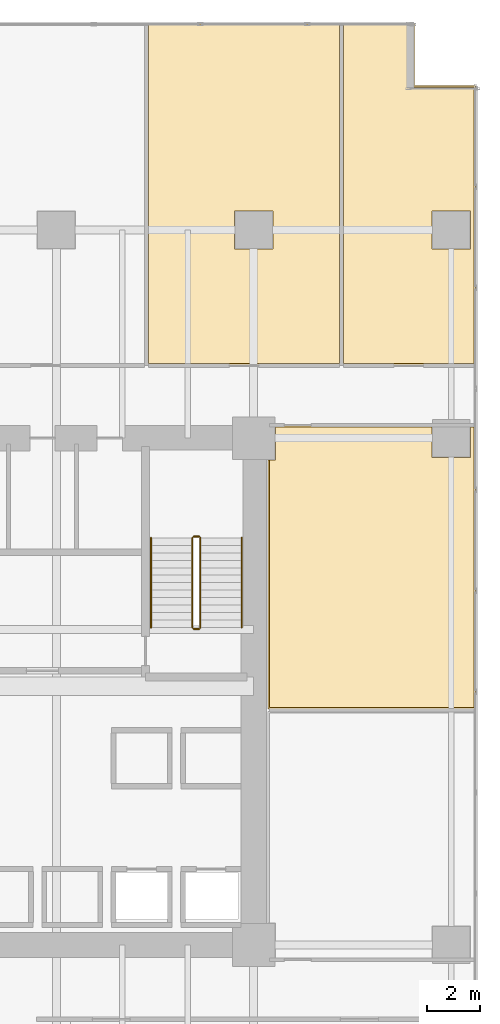
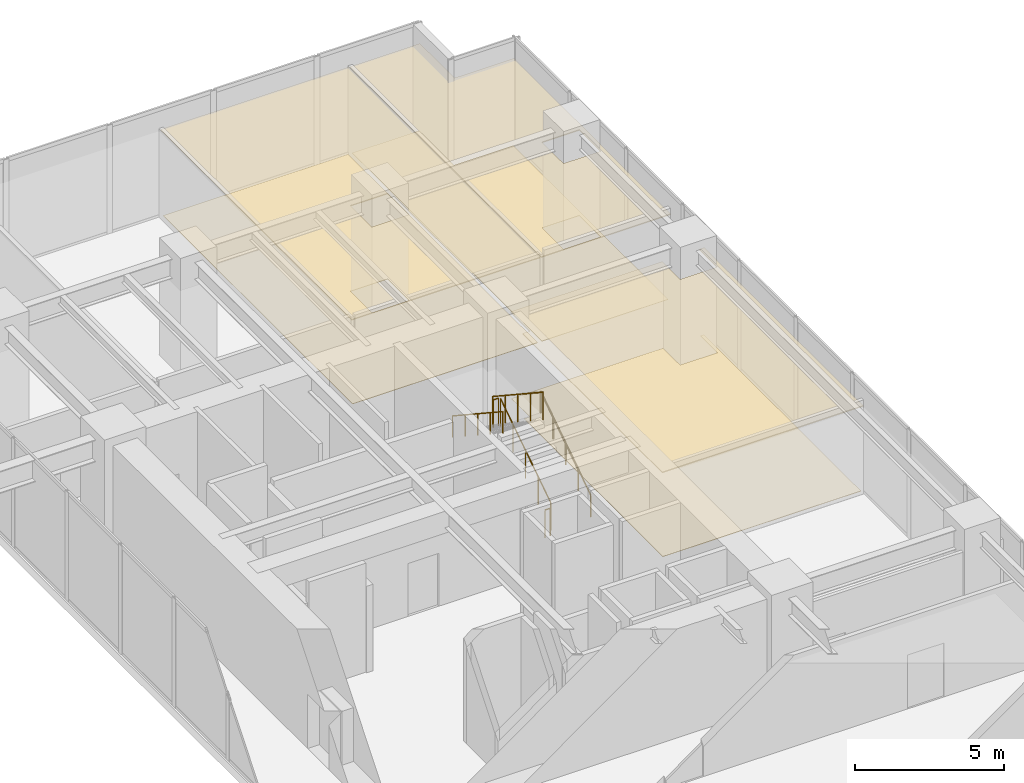
# One storey, part 39 of 39: 6 coverings, 6 railings.
"""IFC4 building model written with IfcOpenShell, lengths in metres."""

import ifcopenshell
import ifcopenshell.guid

model = None  # the IFC model being written
_history = None  # IfcOwnerHistory: only IFC2X3 demands one
_inside = {}  # id of a spatial element -> (the spatial element, [elements in it])
_under = {}  # id of a project, library or spatial element -> (it, [spatial elements below it])
_declared = {}  # id of a project -> (the project, [libraries it declares])
_typed = {}  # id of a type object -> (the type object, [elements of that type])
_made_of = {}  # id of a material, layer set ... -> (it, [elements and type objects made of it])


def new_model(schema):
    """Start an empty IFC model of exactly this schema.

    Asked for "IFC4X3", IfcOpenShell would pick the latest addendum, in which some entities
    have other attributes; the version numbers below select the first issue.
    IFC2X3 requires an IfcOwnerHistory on every rooted entity: one is made here for all.
    """
    global model, _history
    if schema == "IFC4X3":
        model = ifcopenshell.file(schema_version=(4, 3, 0, 0))
    else:
        model = ifcopenshell.file(schema=schema)
    _inside.clear()
    _under.clear()
    _declared.clear()
    _typed.clear()
    _made_of.clear()
    _history = None
    if model.schema == "IFC2X3":
        org = make("IfcOrganization", Name="unknown")
        user = make(
            "IfcPersonAndOrganization",
            ThePerson=make("IfcPerson", FamilyName="unknown"),
            TheOrganization=org,
        )
        app = make(
            "IfcApplication",
            ApplicationDeveloper=org,
            Version="unknown",
            ApplicationFullName="unknown",
            ApplicationIdentifier="unknown",
        )
        _history = make(
            "IfcOwnerHistory",
            OwningUser=user,
            OwningApplication=app,
            ChangeAction="ADDED",
            CreationDate=0,
        )
    return model


def make(cls, **values):
    """One entity of the class cls with the attributes given. An attribute that is None is left unset."""
    return model.create_entity(
        cls, **{name: value for name, value in values.items() if value is not None}
    )


def rooted(cls, **values):
    """An entity with a GlobalId (a new one), such as an element, a storey or a relation."""
    return make(cls, GlobalId=ifcopenshell.guid.new(), OwnerHistory=_history, **values)


def si_unit(unit_type, name, prefix=None):
    """IfcSIUnit, for example si_unit("LENGTHUNIT", "METRE", prefix="MILLI")."""
    return make("IfcSIUnit", UnitType=unit_type, Prefix=prefix, Name=name)


def assignment(units):
    """IfcUnitAssignment: the units of a project."""
    return None if units is None else make("IfcUnitAssignment", Units=units)


def point(xyz):
    """IfcCartesianPoint."""
    return None if xyz is None else make("IfcCartesianPoint", Coordinates=xyz)


def direction(xyz):
    """IfcDirection."""
    return None if xyz is None else make("IfcDirection", DirectionRatios=xyz)


def frame(location, z_axis=None, x_axis=None):
    """IfcAxis2Placement3D, a coordinate frame: its origin and axes. An axis left out is left unset."""
    return make(
        "IfcAxis2Placement3D",
        Location=point(location),
        Axis=direction(z_axis),
        RefDirection=direction(x_axis),
    )


def frame_2d(location, x_axis=None):
    """IfcAxis2Placement2D, a coordinate frame in the plane: its origin and x axis."""
    return make(
        "IfcAxis2Placement2D", Location=point(location), RefDirection=direction(x_axis)
    )


def origin():
    """The frame at (0, 0, 0) with its axes left unset."""
    return frame((0.0, 0.0, 0.0))


def origin_2d():
    """The frame at (0, 0) in the plane with its x axis left unset."""
    return frame_2d((0.0, 0.0))


def place(relative_to, where):
    """IfcLocalPlacement: puts the frame where relative to a parent placement (None: the world)."""
    return make(
        "IfcLocalPlacement", PlacementRelTo=relative_to, RelativePlacement=where
    )


def context(
    kind, dimensions, precision=None, world=None, true_north=None, identifier=None
):
    """IfcGeometricRepresentationContext, for example the 3D "Model" context."""
    return make(
        "IfcGeometricRepresentationContext",
        ContextIdentifier=identifier,
        ContextType=kind,
        CoordinateSpaceDimension=dimensions,
        Precision=precision,
        WorldCoordinateSystem=world,
        TrueNorth=true_north,
    )


def subcontext(parent, identifier, kind, view, scale=None):
    """IfcGeometricRepresentationSubContext, for example "Body" below "Model"."""
    return make(
        "IfcGeometricRepresentationSubContext",
        ContextIdentifier=identifier,
        ContextType=kind,
        ParentContext=parent,
        TargetScale=scale,
        TargetView=view,
    )


def project(units=None, contexts=None):
    """IfcProject with its units and contexts."""
    return rooted(
        "IfcProject",
        Name="project",
        RepresentationContexts=contexts,
        UnitsInContext=assignment(units),
    )


def spatial(cls, under=None, at=None, **own):
    """A site, building, storey or space (cls), placed at a placement, below another one or the project."""
    s = rooted(cls, ObjectPlacement=at, **own)
    if under is not None:
        _under.setdefault(under.id(), (under, []))[1].append(s)
    return s


def polyline(points):
    """IfcPolyline through the points."""
    return make("IfcPolyline", Points=[point(p) for p in points])


def profile(cls, at=None, kind="AREA", **sizes):
    """A parametric profile (cls). Its sizes go by their IFC names, for example OverallWidth=200.0."""
    return make(cls, ProfileType=kind, Position=at, **sizes)


def circle(**sizes):
    """IfcCircleProfileDef."""
    return profile("IfcCircleProfileDef", **sizes)


def outline(outer, holes=None, kind="AREA"):
    """IfcArbitraryClosedProfileDef: a profile drawn as a closed curve; with holes, ...WithVoids."""
    if holes is None:
        return make("IfcArbitraryClosedProfileDef", ProfileType=kind, OuterCurve=outer)
    return make(
        "IfcArbitraryProfileDefWithVoids",
        ProfileType=kind,
        OuterCurve=outer,
        InnerCurves=holes,
    )


def extrude(swept, where, along, depth):
    """IfcExtrudedAreaSolid: the profile swept, set in the frame where, extruded along a direction by depth."""
    return make(
        "IfcExtrudedAreaSolid",
        SweptArea=swept,
        Position=where,
        ExtrudedDirection=direction(along),
        Depth=depth,
    )


def shape(context_of_items, identifier, shape_type, items):
    """IfcShapeRepresentation: the items that make up one representation, for example the "Body"."""
    return make(
        "IfcShapeRepresentation",
        ContextOfItems=context_of_items,
        RepresentationIdentifier=identifier,
        RepresentationType=shape_type,
        Items=items,
    )


def source(mapping_origin, context_of_items, identifier, shape_type, items):
    """IfcRepresentationMap: a shape defined once, which mapped items show again and again."""
    return make(
        "IfcRepresentationMap",
        MappingOrigin=mapping_origin,
        MappedRepresentation=shape(context_of_items, identifier, shape_type, items),
    )


def transform(
    local_origin,
    x_axis=None,
    y_axis=None,
    z_axis=None,
    scale=None,
    scale2=None,
    scale3=None,
    uniform=True,
):
    """IfcCartesianTransformationOperator3D, or its non-uniform kind. x_axis, y_axis, z_axis: its Axis1, 2, 3."""
    if uniform:
        return make(
            "IfcCartesianTransformationOperator3D",
            Axis1=direction(x_axis),
            Axis2=direction(y_axis),
            LocalOrigin=point(local_origin),
            Scale=scale,
            Axis3=direction(z_axis),
        )
    return make(
        "IfcCartesianTransformationOperator3DnonUniform",
        Axis1=direction(x_axis),
        Axis2=direction(y_axis),
        LocalOrigin=point(local_origin),
        Scale=scale,
        Axis3=direction(z_axis),
        Scale2=scale2,
        Scale3=scale3,
    )


def mapped(mapping_source, mapping_target):
    """IfcMappedItem: shows the shape of a source again, moved by a transform."""
    return make(
        "IfcMappedItem", MappingSource=mapping_source, MappingTarget=mapping_target
    )


def material(Name=None, Category=None):
    """IfcMaterial."""
    return make("IfcMaterial", Name=Name, Category=Category)


def layer(
    of_material, thickness, ventilated=None, Name=None, Category=None, Priority=None
):
    """IfcMaterialLayer: one layer of a wall or slab, of a material (None: an air gap)."""
    return make(
        "IfcMaterialLayer",
        Material=of_material,
        LayerThickness=thickness,
        IsVentilated=ventilated,
        Name=Name,
        Category=Category,
        Priority=Priority,
    )


def layer_set(layers, Name=None):
    """IfcMaterialLayerSet."""
    return make("IfcMaterialLayerSet", MaterialLayers=layers, LayerSetName=Name)


def made_of(thing, what):
    """Note that an element or type object is made of a material, layer set ...; save() writes the relation."""
    if what is not None:
        _made_of.setdefault(what.id(), (what, []))[1].append(thing)
    return thing


def type_object(cls, material=None, **own):
    """A type object (cls), such as IfcWallType, which elements share."""
    return made_of(rooted(cls, **own), material)


def type_shapes(of_type, sources):
    """Give a type object the sources (RepresentationMaps) that its elements show as mapped items."""
    of_type.RepresentationMaps = sources


def element(
    cls,
    number,
    at=None,
    inside=None,
    cuts=None,
    type_object=None,
    material=None,
    context=None,
    identifier="Body",
    shape_type=None,
    held_by="IfcProductDefinitionShape",
    body=None,
    shapes=None,
    **own,
):
    """One element of the class cls, such as IfcWall. Its Tag is "e" and its number.

    at: its placement. inside: the storey or other place that contains it. cuts: it is an
    opening in that element (IfcRelVoidsElement). A single representation is given by context,
    identifier, shape_type and body (its items); several are given by shapes. held_by: the class
    of the entity that holds the representations. save() writes the other relations.
    """
    e = rooted(cls, Tag="e%d" % number, ObjectPlacement=at, **own)
    if body is not None:
        shapes = [shape(context, identifier, shape_type, body)]
    if shapes is not None:
        e.Representation = make(held_by, Representations=shapes)
    if inside is not None:
        _inside.setdefault(inside.id(), (inside, []))[1].append(e)
    if cuts is not None:
        rooted(
            "IfcRelVoidsElement", RelatingBuildingElement=cuts, RelatedOpeningElement=e
        )
    if type_object is not None:
        _typed.setdefault(type_object.id(), (type_object, []))[1].append(e)
    return made_of(e, material)


def aggregate(whole, parts):
    """IfcRelAggregates: a whole, such as a stair, and the parts it consists of."""
    return rooted("IfcRelAggregates", RelatingObject=whole, RelatedObjects=parts)


def save(model, path):
    """Write the relations noted so far, then the file.

    IfcRelAggregates (storeys below a building ...), IfcRelContainedInSpatialStructure (elements
    in a storey), IfcRelDefinesByType, IfcRelAssociatesMaterial and IfcRelDeclares: one each for
    every whole, place, type object, material and project.
    """
    for whole, parts in _under.values():
        aggregate(whole, parts)
    for where, things in _inside.values():
        rooted(
            "IfcRelContainedInSpatialStructure",
            RelatedElements=things,
            RelatingStructure=where,
        )
    for kind, things in _typed.values():
        rooted("IfcRelDefinesByType", RelatedObjects=things, RelatingType=kind)
    for what, things in _made_of.values():
        rooted("IfcRelAssociatesMaterial", RelatedObjects=things, RelatingMaterial=what)
    for by, libraries in _declared.values():
        rooted("IfcRelDeclares", RelatingContext=by, RelatedDefinitions=libraries)
    model.write(path)


model = new_model("IFC4")

# Units and contexts
model_context = context("Model", 3, precision=1e-05, world=origin(), true_north=direction((0.0, 1.0)))
body_context = subcontext(model_context, "Body", "Model", "MODEL_VIEW")
ifc_project = project(units=[si_unit("LENGTHUNIT", "METRE"), si_unit("AREAUNIT", "SQUARE_METRE"), si_unit("VOLUMEUNIT", "CUBIC_METRE"), si_unit("PLANEANGLEUNIT", "RADIAN"), si_unit("MASSUNIT", "GRAM", prefix="KILO")], contexts=[model_context])

# Site, building, storey
site_placement = place(None, origin())
site = spatial("IfcSite", under=ifc_project, at=site_placement, CompositionType="ELEMENT")
building_placement = place(site_placement, origin())
building = spatial("IfcBuilding", under=site, at=building_placement, Name="Haelvirn Gate Laboratories", CompositionType="ELEMENT")
storey_placement = place(building_placement, frame((0.0, 0.0, 15.0)))
storey = spatial("IfcBuildingStorey", under=building, at=storey_placement, Name="L04", CompositionType="ELEMENT", Elevation=15.0)

# Coverings
ifc_material_1 = material(Name="Micro-perforated acoustic mineral-fibre laboratory ceiling")
ifc_layer_1 = layer(ifc_material_1, 0.0400390625, Name="COV-CEIL-ACT")
ifc_layer_set_1 = layer_set([ifc_layer_1], Name="Micro-perforated acoustic mineral-fibre laboratory ceiling")
covering_type_1 = type_object("IfcCoveringType", Name="COV-CEIL-ACT", PredefinedType="CEILING", material=ifc_layer_set_1)
covering_1_placement = place(storey_placement, frame((0.0, 0.0, 3.47998046875)))
element("IfcCovering", 1, at=covering_1_placement, inside=storey, type_object=covering_type_1, Name="L04 Laboratory Acoustic Ceiling CEIL-SP-L04-PODOUT-E-N", PredefinedType="CEILING", context=body_context, shape_type="SweptSolid", body=[
    extrude(outline(polyline([(75.7099609375, 34.280029296875), (75.7099609375, 23.639892578125), (67.93994140625, 23.639892578125), (67.93994140625, 32.97998046875), (68.219970703125, 32.97998046875), (68.219970703125, 34.280029296875), (74.080078125, 34.280029296875), (74.080078125, 33.080078125), (75.52001953125, 33.080078125), (75.52001953125, 34.280029296875), (75.7099609375, 34.280029296875)])), origin(), (0.0, 0.0, 1.0), 0.0400390625),
])
covering_2_placement = place(storey_placement, frame((0.0, 0.0, 3.47998046875)))
element("IfcCovering", 2, at=covering_2_placement, inside=storey, type_object=covering_type_1, Name="L04 Laboratory Acoustic Ceiling CEIL-SP-L04-PODN-E-3", PredefinedType="CEILING", context=body_context, shape_type="SweptSolid", body=[
    extrude(outline(polyline([(70.6708984375, 36.5400390625), (63.403076171875, 36.5400390625), (63.403076171875, 49.340087890625), (70.6708984375, 49.340087890625), (70.6708984375, 36.5400390625)]), holes=[polyline([(68.1201171875, 42.320068359375), (66.679931640625, 42.320068359375), (66.679931640625, 40.8798828125), (68.1201171875, 40.8798828125), (68.1201171875, 42.320068359375)])]), origin(), (0.0, 0.0, 1.0), 0.0400390625),
])
covering_3_placement = place(storey_placement, frame((0.0, 0.0, 3.47998046875)))
element("IfcCovering", 3, at=covering_3_placement, inside=storey, type_object=covering_type_1, Name="L04 Laboratory Acoustic Ceiling CEIL-SP-L04-PODN-E-4", PredefinedType="CEILING", context=body_context, shape_type="SweptSolid", body=[
    extrude(outline(polyline([(73.419921875, 49.340087890625), (73.419921875, 47.02001953125), (75.7099609375, 47.02001953125), (75.7099609375, 36.5400390625), (70.7109375, 36.5400390625), (70.7109375, 49.340087890625), (73.419921875, 49.340087890625)]), holes=[polyline([(75.52001953125, 42.320068359375), (74.080078125, 42.320068359375), (74.080078125, 40.8798828125), (75.52001953125, 40.8798828125), (75.52001953125, 42.320068359375)])]), origin(), (0.0, 0.0, 1.0), 0.0400390625),
])
ifc_material_2 = material(Name="Seamless chemical-resistant epoxy laboratory flooring")
ifc_layer_2 = layer(ifc_material_2, 0.01806640625, Name="COV-FLR-RESIN")
ifc_layer_set_2 = layer_set([ifc_layer_2], Name="Seamless chemical-resistant epoxy laboratory flooring")
covering_type_2 = type_object("IfcCoveringType", Name="COV-FLR-RESIN", PredefinedType="FLOORING", material=ifc_layer_set_2)
covering_4_placement = place(storey_placement, origin())
element("IfcCovering", 4, at=covering_4_placement, inside=storey, type_object=covering_type_2, Name="L04 Seamless Laboratory Flooring FLR-SP-L04-PODOUT-E-N", PredefinedType="FLOORING", context=body_context, shape_type="SweptSolid", body=[
    extrude(outline(polyline([(68.219970703125, 34.219970703125), (74.080078125, 34.219970703125), (74.080078125, 33.080078125), (75.52001953125, 33.080078125), (75.52001953125, 34.219970703125), (75.64990234375, 34.219970703125), (75.64990234375, 23.699951171875), (68.0, 23.699951171875), (68.0, 32.97998046875), (68.219970703125, 32.97998046875), (68.219970703125, 34.219970703125)])), origin(), (0.0, 0.0, 1.0), 0.01806640625),
])
covering_5_placement = place(storey_placement, origin())
element("IfcCovering", 5, at=covering_5_placement, inside=storey, type_object=covering_type_2, Name="L04 Seamless Laboratory Flooring FLR-SP-L04-PODN-E-3", PredefinedType="FLOORING", context=body_context, shape_type="SweptSolid", body=[
    extrude(outline(polyline([(70.611083984375, 49.280029296875), (70.611083984375, 36.60009765625), (63.462890625, 36.60009765625), (63.462890625, 49.280029296875), (70.611083984375, 49.280029296875)]), holes=[polyline([(66.679931640625, 42.320068359375), (66.679931640625, 40.8798828125), (68.1201171875, 40.8798828125), (68.1201171875, 42.320068359375), (66.679931640625, 42.320068359375)])]), origin(), (0.0, 0.0, 1.0), 0.01806640625),
])
covering_6_placement = place(storey_placement, origin())
element("IfcCovering", 6, at=covering_6_placement, inside=storey, type_object=covering_type_2, Name="L04 Seamless Laboratory Flooring FLR-SP-L04-PODN-E-4", PredefinedType="FLOORING", context=body_context, shape_type="SweptSolid", body=[
    extrude(outline(polyline([(70.77099609375, 49.280029296875), (73.360107421875, 49.280029296875), (73.360107421875, 47.0), (73.360107421875, 46.99609375), (73.36083984375, 46.9921875), (73.36181640625, 46.98828125), (73.363037109375, 46.984619140625), (73.36474609375, 46.981201171875), (73.36669921875, 46.977783203125), (73.369140625, 46.974609375), (73.37158203125, 46.9716796875), (73.37451171875, 46.968994140625), (73.377685546875, 46.966796875), (73.381103515625, 46.964599609375), (73.384765625, 46.962890625), (73.388427734375, 46.961669921875), (73.39208984375, 46.960693359375), (73.39599609375, 46.960205078125), (73.39990234375, 46.9599609375), (75.64990234375, 46.9599609375), (75.64990234375, 36.60009765625), (70.77099609375, 36.60009765625), (70.77099609375, 49.280029296875)]), holes=[polyline([(74.080078125, 42.320068359375), (74.080078125, 40.8798828125), (75.52001953125, 40.8798828125), (75.52001953125, 42.320068359375), (74.080078125, 42.320068359375)])]), origin(), (0.0, 0.0, 1.0), 0.01806640625),
])

# Railings
ifc_material_3 = material(Name="Galvanised steel SM355 & stainless top rail", Category="steel")
railing_type_1 = type_object("IfcRailingType", Name="RL-GUARD-1150", PredefinedType="GUARDRAIL", material=ifc_material_3)
shared_shape_1 = source(origin(), body_context, "Body", "SweptSolid", [
    extrude(circle(Radius=0.02392578125, at=origin_2d()), frame((0.0, 0.0, 1.1259765625), z_axis=(0.0, 0.834876476806, 0.550437342915), x_axis=(-1.0, 0.0, 0.0)), (0.0, 0.0, 1.0), 4.024658203125),
    extrude(circle(Radius=0.02099609375, at=origin_2d()), origin(), (0.0, 0.0, 1.0), 1.101806640625),
    extrude(circle(Radius=0.02099609375, at=origin_2d()), frame((0.0, 0.840087890625, 0.5537109375)), (0.0, 0.0, 1.0), 1.101806640625),
    extrude(circle(Radius=0.02099609375, at=origin_2d()), frame((0.0, 1.68017578125, 1.107666015625)), (0.0, 0.0, 1.0), 1.101806640625),
    extrude(circle(Radius=0.02099609375, at=origin_2d()), frame((0.0, 2.52001953125, 1.66162109375)), (0.0, 0.0, 1.0), 1.101806640625),
    extrude(circle(Radius=0.02099609375, at=origin_2d()), frame((0.0, 3.360107421875, 2.21533203125)), (0.0, 0.0, 1.0), 1.101806640625),
])
railing_1_placement = place(storey_placement, frame((65.39990234375, 26.699951171875, 0.1845703125)))
element("IfcRailing", 7, at=railing_1_placement, inside=storey, type_object=railing_type_1, Name="L04 ST2 stair guard 1", PredefinedType="GUARDRAIL", context=body_context, shape_type="MappedRepresentation", body=[
    mapped(shared_shape_1, transform((0.0, 0.0, 0.0), scale=1.0)),
])
shared_shape_2 = source(origin(), body_context, "Body", "SweptSolid", [
    extrude(circle(Radius=0.02392578125, at=origin_2d()), frame((0.0, 0.0, 1.1259765625), z_axis=(0.0, -0.834876476806, 0.550437342915), x_axis=(1.0, 0.0, 0.0)), (0.0, 0.0, 1.0), 4.024658203125),
    extrude(circle(Radius=0.02099609375, at=origin_2d()), origin(), (0.0, 0.0, 1.0), 1.101806640625),
    extrude(circle(Radius=0.02099609375, at=origin_2d()), frame((0.0, -0.840087890625, 0.5537109375)), (0.0, 0.0, 1.0), 1.101806640625),
    extrude(circle(Radius=0.02099609375, at=origin_2d()), frame((0.0, -1.68017578125, 1.107666015625)), (0.0, 0.0, 1.0), 1.101806640625),
    extrude(circle(Radius=0.02099609375, at=origin_2d()), frame((0.0, -2.52001953125, 1.66162109375)), (0.0, 0.0, 1.0), 1.101806640625),
    extrude(circle(Radius=0.02099609375, at=origin_2d()), frame((0.0, -3.360107421875, 2.21533203125)), (0.0, 0.0, 1.0), 1.101806640625),
])
railing_2_placement = place(storey_placement, frame((65.10009765625, 30.06005859375, 2.584716796875)))
element("IfcRailing", 8, at=railing_2_placement, inside=storey, type_object=railing_type_1, Name="L04 ST2 stair guard 3", PredefinedType="GUARDRAIL", context=body_context, shape_type="MappedRepresentation", body=[
    mapped(shared_shape_2, transform((0.0, 0.0, 0.0), scale=1.0)),
])
ifc_material_4 = material(Name="Brushed stainless steel 316L", Category="steel")
railing_type_2 = type_object("IfcRailingType", Name="RL-HAND-920", PredefinedType="HANDRAIL", material=ifc_material_4)
shared_shape_3 = source(origin(), body_context, "Body", "SweptSolid", [
    extrude(circle(Radius=0.02392578125, at=origin_2d()), frame((0.0, 0.0, 0.8759765625), z_axis=(0.0, 0.834876476806, 0.550437342915), x_axis=(-1.0, 0.0, 0.0)), (0.0, 0.0, 1.0), 4.024658203125),
    extrude(circle(Radius=0.02099609375, at=origin_2d()), origin(), (0.0, 0.0, 1.0), 0.851806640625),
    extrude(circle(Radius=0.02099609375, at=origin_2d()), frame((0.0, 0.840087890625, 0.5537109375)), (0.0, 0.0, 1.0), 0.851806640625),
    extrude(circle(Radius=0.02099609375, at=origin_2d()), frame((0.0, 1.68017578125, 1.107666015625)), (0.0, 0.0, 1.0), 0.851806640625),
    extrude(circle(Radius=0.02099609375, at=origin_2d()), frame((0.0, 2.52001953125, 1.66162109375)), (0.0, 0.0, 1.0), 0.851806640625),
    extrude(circle(Radius=0.02099609375, at=origin_2d()), frame((0.0, 3.360107421875, 2.21533203125)), (0.0, 0.0, 1.0), 0.851806640625),
])
railing_3_placement = place(storey_placement, frame((66.949951171875, 26.699951171875, 0.1845703125)))
element("IfcRailing", 9, at=railing_3_placement, inside=storey, type_object=railing_type_2, Name="L04 ST2 stair handrail 1", PredefinedType="HANDRAIL", context=body_context, shape_type="MappedRepresentation", body=[
    mapped(shared_shape_3, transform((0.0, 0.0, 0.0), scale=1.0)),
])
shared_shape_4 = source(origin(), body_context, "Body", "SweptSolid", [
    extrude(circle(Radius=0.02392578125, at=origin_2d()), frame((0.0, 0.0, 0.8759765625), z_axis=(0.0, -0.834876476806, 0.550437342915), x_axis=(1.0, 0.0, 0.0)), (0.0, 0.0, 1.0), 4.024658203125),
    extrude(circle(Radius=0.02099609375, at=origin_2d()), origin(), (0.0, 0.0, 1.0), 0.851806640625),
    extrude(circle(Radius=0.02099609375, at=origin_2d()), frame((0.0, -0.840087890625, 0.5537109375)), (0.0, 0.0, 1.0), 0.851806640625),
    extrude(circle(Radius=0.02099609375, at=origin_2d()), frame((0.0, -1.68017578125, 1.107666015625)), (0.0, 0.0, 1.0), 0.851806640625),
    extrude(circle(Radius=0.02099609375, at=origin_2d()), frame((0.0, -2.52001953125, 1.66162109375)), (0.0, 0.0, 1.0), 0.851806640625),
    extrude(circle(Radius=0.02099609375, at=origin_2d()), frame((0.0, -3.360107421875, 2.21533203125)), (0.0, 0.0, 1.0), 0.851806640625),
])
type_shapes(railing_type_2, [shared_shape_3, shared_shape_4])
railing_4_placement = place(storey_placement, frame((63.550048828125, 30.06005859375, 2.584716796875)))
element("IfcRailing", 10, at=railing_4_placement, inside=storey, type_object=railing_type_2, Name="L04 ST2 stair handrail 2", PredefinedType="HANDRAIL", context=body_context, shape_type="MappedRepresentation", body=[
    mapped(shared_shape_4, transform((0.0, 0.0, 0.0), scale=1.0)),
])
shared_shape_5 = source(origin(), body_context, "Body", "SweptSolid", [
    extrude(circle(Radius=0.02392578125, at=origin_2d()), frame((0.0, 0.0, 1.1259765625), z_axis=(-1.0, 0.0, 0.0), x_axis=(0.0, -1.0, 0.0)), (0.0, 0.0, 1.0), 0.2001953125),
    extrude(circle(Radius=0.02099609375, at=origin_2d()), origin(), (0.0, 0.0, 1.0), 1.101806640625),
    extrude(circle(Radius=0.02099609375, at=origin_2d()), frame((-0.2001953125, 0.0, 0.0)), (0.0, 0.0, 1.0), 1.101806640625),
])
type_shapes(railing_type_1, [shared_shape_1, shared_shape_2, shared_shape_5])
for number, where, name in (
    (11, (65.35009765625, 30.110107421875, 2.39990234375), "L04 ST2 stair guard 2"),
    (12, (65.35009765625, 26.64990234375, 0.0), "L04 ST2 stair guard 4"),
):
    element("IfcRailing", number, at=place(storey_placement, frame(where)), inside=storey, type_object=railing_type_1, Name=name, PredefinedType="GUARDRAIL", context=body_context, shape_type="MappedRepresentation", body=[
        mapped(shared_shape_5, transform((0.0, 0.0, 0.0), scale=1.0)),
    ])

save(model, "model.ifc")
